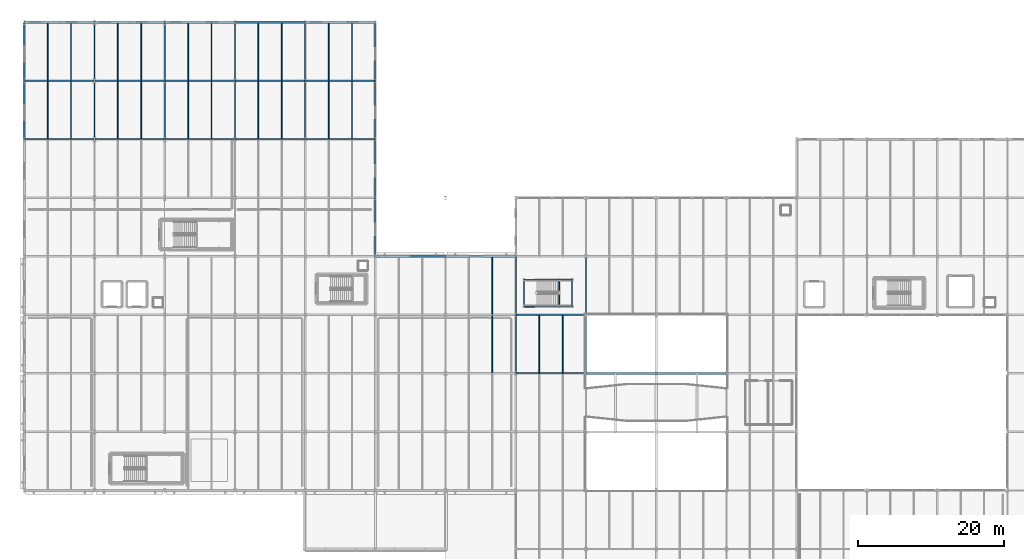
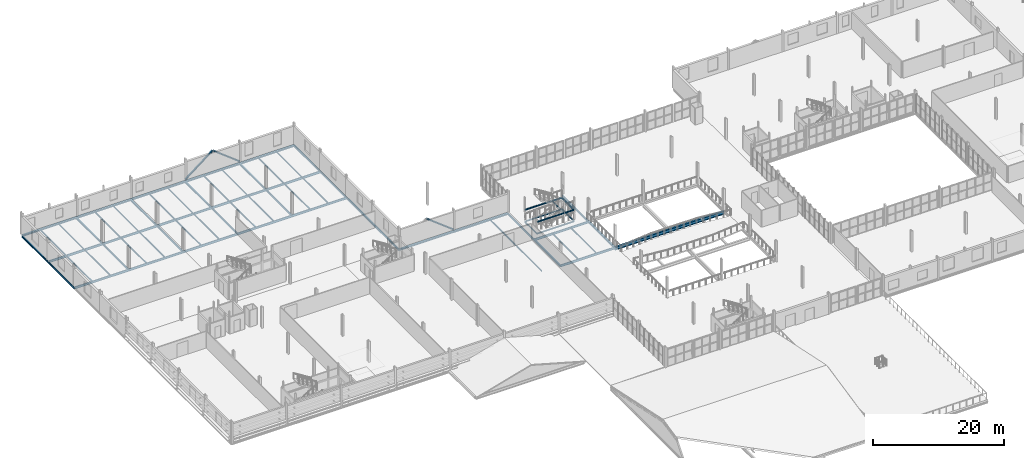
# One storey, part 47 of 85: 70 beams, 3 members.
"""IFC4 building model written with IfcOpenShell, lengths in metres."""

from ifc_helpers import new_model, si_unit, direction, frame, origin, origin_2d, place, context, subcontext, project, spatial, i_section, extrude, material, material_profile, profile_set, type_object, element, save


model = new_model("IFC4")

# Units and contexts
model_context = context("Model", 3, precision=1e-05, world=origin(), true_north=direction((0.0, 1.0)))
body_context = subcontext(model_context, "Body", "Model", "MODEL_VIEW")
ifc_project = project(units=[si_unit("LENGTHUNIT", "METRE"), si_unit("AREAUNIT", "SQUARE_METRE"), si_unit("VOLUMEUNIT", "CUBIC_METRE"), si_unit("PLANEANGLEUNIT", "RADIAN"), si_unit("MASSUNIT", "GRAM", prefix="KILO")], contexts=[model_context])

# Site, building, storey
site_placement = place(None, origin())
site = spatial("IfcSite", under=ifc_project, at=site_placement, CompositionType="ELEMENT")
building_placement = place(site_placement, origin())
building = spatial("IfcBuilding", under=site, at=building_placement, Name="Alderhovde Museum", CompositionType="ELEMENT")
storey_placement = place(building_placement, frame((0.0, 0.0, 8.699951171875)))
storey = spatial("IfcBuildingStorey", under=building, at=storey_placement, Name="L02", CompositionType="ELEMENT", Elevation=8.699951171875)

# Beams
ifc_material_1 = material(Name="Steel S355J2", Category="steel")
ifc_material_profile_1 = material_profile(ifc_material_1, i_section(OverallWidth=0.300048828125, OverallDepth=0.60009765625, WebThickness=0.015380859375, FlangeThickness=0.030029296875, FilletRadius=0.027099609375, at=origin_2d()), Name="HEB 600")
ifc_profile_set_1 = profile_set([ifc_material_profile_1], Name="Steel S355J2")
beam_type_1 = type_object("IfcBeamType", Name="BM-HEB600", PredefinedType="BEAM", material=ifc_profile_set_1)
beam_1_placement = place(storey_placement, frame((86.39990234375, 64.0, -0.56005859375), z_axis=(1.0, 0.0, 0.0), x_axis=(0.0, 1.0, 0.0)))
element("IfcBeam", 1, at=beam_1_placement, inside=storey, type_object=beam_type_1, Name="L02 Grid Beam Y=64.0 (86.4 TO 105.6)", PredefinedType="BEAM", context=body_context, shape_type="SweptSolid", body=[
    extrude(i_section(OverallWidth=0.300048828125, OverallDepth=0.60009765625, WebThickness=0.015380859375, FlangeThickness=0.030029296875, FilletRadius=0.027099609375, at=origin_2d()), origin(), (0.0, 0.0, 1.0), 19.2001953125),
])
ifc_material_2 = material(Name="Steel S355J2", Category="steel")
ifc_material_profile_2 = material_profile(ifc_material_2, i_section(OverallWidth=0.1201171875, OverallDepth=0.239990234375, WebThickness=0.006103515625, FlangeThickness=0.009765625, FilletRadius=0.014892578125, at=origin_2d()), Name="IPE 240")
ifc_profile_set_2 = profile_set([ifc_material_profile_2], Name="Steel S355J2")
beam_type_2 = type_object("IfcBeamType", Name="BM-IPE240", PredefinedType="BEAM", material=ifc_profile_set_2)
for number, where, z_axis, x_axis, name in (
    (2, (77.919921875, 73.1201171875, -0.3798828125), (1.0, 0.0, 0.0), (0.0, 1.0, 0.0), "L02 Stair ST5 Floor Trimmer S"),
    (3, (77.919921875, 76.840087890625, -0.3798828125), (1.0, 0.0, 0.0), (0.0, 1.0, 0.0), "L02 Stair ST5 Floor Trimmer N"),
):
    element("IfcBeam", number, at=place(storey_placement, frame(where, z_axis=z_axis, x_axis=x_axis)), inside=storey, type_object=beam_type_2, Name=name, PredefinedType="BEAM", context=body_context, shape_type="SweptSolid", body=[
        extrude(i_section(OverallWidth=0.1201171875, OverallDepth=0.239990234375, WebThickness=0.006103515625, FlangeThickness=0.009765625, FilletRadius=0.014892578125, at=origin_2d()), origin(), (0.0, 0.0, 1.0), 6.60009765625),
    ])
for number, where, z_axis, x_axis, name in (
    (4, (77.919921875, 73.1201171875, -0.3798828125), (0.0, 1.0, 0.0), (-1.0, 0.0, 0.0), "L02 Stair ST5 Floor Trimmer W"),
    (5, (84.52001953125, 73.1201171875, -0.3798828125), (0.0, 1.0, 0.0), (-1.0, 0.0, 0.0), "L02 Stair ST5 Floor Trimmer E"),
):
    element("IfcBeam", number, at=place(storey_placement, frame(where, z_axis=z_axis, x_axis=x_axis)), inside=storey, type_object=beam_type_2, Name=name, PredefinedType="BEAM", context=body_context, shape_type="SweptSolid", body=[
        extrude(i_section(OverallWidth=0.1201171875, OverallDepth=0.239990234375, WebThickness=0.006103515625, FlangeThickness=0.009765625, FilletRadius=0.014892578125, at=origin_2d()), origin(), (0.0, 0.0, 1.0), 3.719970703125),
    ])
for number, where, z_axis, x_axis, name in (
    (6, (77.919921875, 73.1201171875, 1.780029296875), (1.0, 0.0, 0.0), (0.0, 1.0, 0.0), "L02 Stair ST5 Landing 1 Beam S"),
    (7, (77.919921875, 76.840087890625, 1.780029296875), (1.0, 0.0, 0.0), (0.0, 1.0, 0.0), "L02 Stair ST5 Landing 1 Beam N"),
):
    element("IfcBeam", number, at=place(storey_placement, frame(where, z_axis=z_axis, x_axis=x_axis)), inside=storey, type_object=beam_type_2, Name=name, PredefinedType="BEAM", context=body_context, shape_type="SweptSolid", body=[
        extrude(i_section(OverallWidth=0.1201171875, OverallDepth=0.239990234375, WebThickness=0.006103515625, FlangeThickness=0.009765625, FilletRadius=0.014892578125, at=origin_2d()), origin(), (0.0, 0.0, 1.0), 6.60009765625),
    ])
for number, where, z_axis, x_axis, name in (
    (8, (82.760009765625, 73.1201171875, 1.780029296875), (0.0, 1.0, 0.0), (-1.0, 0.0, 0.0), "L02 Stair ST5 Landing 1 Beam W"),
    (9, (84.43994140625, 73.1201171875, 1.780029296875), (0.0, 1.0, 0.0), (-1.0, 0.0, 0.0), "L02 Stair ST5 Landing 1 Beam E"),
):
    element("IfcBeam", number, at=place(storey_placement, frame(where, z_axis=z_axis, x_axis=x_axis)), inside=storey, type_object=beam_type_2, Name=name, PredefinedType="BEAM", context=body_context, shape_type="SweptSolid", body=[
        extrude(i_section(OverallWidth=0.1201171875, OverallDepth=0.239990234375, WebThickness=0.006103515625, FlangeThickness=0.009765625, FilletRadius=0.014892578125, at=origin_2d()), origin(), (0.0, 0.0, 1.0), 3.719970703125),
    ])
ifc_material_3 = material(Name="Steel S355J2", Category="steel")
ifc_material_profile_3 = material_profile(ifc_material_3, i_section(OverallWidth=0.169921875, OverallDepth=0.360107421875, WebThickness=0.008056640625, FlangeThickness=0.0126953125, FilletRadius=0.01806640625, at=origin_2d()), Name="IPE 360")
ifc_profile_set_3 = profile_set([ifc_material_profile_3], Name="Steel S355J2")
beam_type_3 = type_object("IfcBeamType", Name="BM-IPE360", PredefinedType="BEAM", material=ifc_profile_set_3)
for number, where, z_axis, x_axis, name in (
    (10, (9.60009765625, 96.0, -0.43994140625), (0.0, 1.0, 0.0), (-1.0, 0.0, 0.0), "L02 Grid Beam X=9.6 (96.0 TO 104.0)"),
    (11, (9.60009765625, 104.0, -0.43994140625), (0.0, 1.0, 0.0), (-1.0, 0.0, 0.0), "L02 Grid Beam X=9.6 (104.0 TO 112.0)"),
    (12, (19.199951171875, 96.0, -0.43994140625), (0.0, 1.0, 0.0), (-1.0, 0.0, 0.0), "L02 Grid Beam X=19.2 (96.0 TO 104.0)"),
    (13, (19.199951171875, 104.0, -0.43994140625), (0.0, 1.0, 0.0), (-1.0, 0.0, 0.0), "L02 Grid Beam X=19.2 (104.0 TO 112.0)"),
    (14, (28.800048828125, 96.0, -0.43994140625), (0.0, 1.0, 0.0), (-1.0, 0.0, 0.0), "L02 Grid Beam X=28.8 (96.0 TO 104.0)"),
    (15, (28.800048828125, 104.0, -0.43994140625), (0.0, 1.0, 0.0), (-1.0, 0.0, 0.0), "L02 Grid Beam X=28.8 (104.0 TO 112.0)"),
    (16, (38.39990234375, 96.0, -0.43994140625), (0.0, 1.0, 0.0), (-1.0, 0.0, 0.0), "L02 Grid Beam X=38.4 (96.0 TO 104.0)"),
    (17, (38.39990234375, 104.0, -0.43994140625), (0.0, 1.0, 0.0), (-1.0, 0.0, 0.0), "L02 Grid Beam X=38.4 (104.0 TO 112.0)"),
    (18, (48.0, 96.0, -0.43994140625), (0.0, 1.0, 0.0), (-1.0, 0.0, 0.0), "L02 Grid Beam X=48.0 (96.0 TO 104.0)"),
    (19, (48.0, 104.0, -0.43994140625), (0.0, 1.0, 0.0), (-1.0, 0.0, 0.0), "L02 Grid Beam X=48.0 (104.0 TO 112.0)"),
    (20, (57.60009765625, 80.0, -0.43994140625), (0.0, 1.0, 0.0), (-1.0, 0.0, 0.0), "L02 Grid Beam X=57.6 (80.0 TO 88.0)"),
    (21, (57.60009765625, 88.0, -0.43994140625), (0.0, 1.0, 0.0), (-1.0, 0.0, 0.0), "L02 Grid Beam X=57.6 (88.0 TO 96.0)"),
    (22, (57.60009765625, 96.0, -0.43994140625), (0.0, 1.0, 0.0), (-1.0, 0.0, 0.0), "L02 Grid Beam X=57.6 (96.0 TO 104.0)"),
    (23, (57.60009765625, 104.0, -0.43994140625), (0.0, 1.0, 0.0), (-1.0, 0.0, 0.0), "L02 Grid Beam X=57.6 (104.0 TO 112.0)"),
    (24, (76.800048828125, 64.0, -0.43994140625), (0.0, 1.0, 0.0), (-1.0, 0.0, 0.0), "L02 Grid Beam X=76.8 (64.0 TO 72.0)"),
    (25, (76.800048828125, 72.0, -0.43994140625), (0.0, 1.0, 0.0), (-1.0, 0.0, 0.0), "L02 Grid Beam X=76.8 (72.0 TO 80.0)"),
    (26, (86.39990234375, 64.0, -0.43994140625), (0.0, 1.0, 0.0), (-1.0, 0.0, 0.0), "L02 Grid Beam X=86.4 (64.0 TO 72.0)"),
    (27, (86.39990234375, 72.0, -0.43994140625), (0.0, 1.0, 0.0), (-1.0, 0.0, 0.0), "L02 Grid Beam X=86.4 (72.0 TO 80.0)"),
):
    element("IfcBeam", number, at=place(storey_placement, frame(where, z_axis=z_axis, x_axis=x_axis)), inside=storey, type_object=beam_type_3, Name=name, PredefinedType="BEAM", context=body_context, shape_type="SweptSolid", body=[
        extrude(i_section(OverallWidth=0.169921875, OverallDepth=0.360107421875, WebThickness=0.008056640625, FlangeThickness=0.0126953125, FilletRadius=0.01806640625, at=origin_2d()), origin(), (0.0, 0.0, 1.0), 8.0),
    ])
ifc_material_4 = material(Name="Steel S355J2", Category="steel")
ifc_material_profile_4 = material_profile(ifc_material_4, i_section(OverallWidth=0.179931640625, OverallDepth=0.39990234375, WebThickness=0.008544921875, FlangeThickness=0.013427734375, FilletRadius=0.02099609375, at=origin_2d()), Name="IPE 400")
ifc_profile_set_4 = profile_set([ifc_material_profile_4], Name="Steel S355J2")
beam_type_4 = type_object("IfcBeamType", Name="BM-IPE400", PredefinedType="BEAM", material=ifc_profile_set_4)
for number, where, z_axis, x_axis, name in (
    (28, (76.800048828125, 64.0, -0.4599609375), (1.0, 0.0, 0.0), (0.0, 1.0, 0.0), "L02 Grid Beam Y=64.0 (76.8 TO 86.4)"),
    (29, (76.800048828125, 72.0, -0.4599609375), (1.0, 0.0, 0.0), (0.0, 1.0, 0.0), "L02 Grid Beam Y=72.0 (76.8 TO 86.4)"),
    (30, (9.60009765625, 96.0, -0.4599609375), (1.0, 0.0, 0.0), (0.0, 1.0, 0.0), "L02 Grid Beam Y=96.0 (9.6 TO 19.2)"),
):
    element("IfcBeam", number, at=place(storey_placement, frame(where, z_axis=z_axis, x_axis=x_axis)), inside=storey, type_object=beam_type_4, Name=name, PredefinedType="BEAM", context=body_context, shape_type="SweptSolid", body=[
        extrude(i_section(OverallWidth=0.179931640625, OverallDepth=0.39990234375, WebThickness=0.008544921875, FlangeThickness=0.013427734375, FilletRadius=0.02099609375, at=origin_2d()), origin(), (0.0, 0.0, 1.0), 9.599853515625),
    ])
beam_2_placement = place(storey_placement, frame((19.199951171875, 96.0, -0.4599609375), z_axis=(1.0, 0.0, 0.0), x_axis=(0.0, 1.0, 0.0)))
element("IfcBeam", 31, at=beam_2_placement, inside=storey, type_object=beam_type_4, Name="L02 Grid Beam Y=96.0 (19.2 TO 28.8)", PredefinedType="BEAM", context=body_context, shape_type="SweptSolid", body=[
    extrude(i_section(OverallWidth=0.179931640625, OverallDepth=0.39990234375, WebThickness=0.008544921875, FlangeThickness=0.013427734375, FilletRadius=0.02099609375, at=origin_2d()), origin(), (0.0, 0.0, 1.0), 9.60009765625),
])
beam_3_placement = place(storey_placement, frame((28.800048828125, 96.0, -0.4599609375), z_axis=(1.0, 0.0, 0.0), x_axis=(0.0, 1.0, 0.0)))
element("IfcBeam", 32, at=beam_3_placement, inside=storey, type_object=beam_type_4, Name="L02 Grid Beam Y=96.0 (28.8 TO 38.4)", PredefinedType="BEAM", context=body_context, shape_type="SweptSolid", body=[
    extrude(i_section(OverallWidth=0.179931640625, OverallDepth=0.39990234375, WebThickness=0.008544921875, FlangeThickness=0.013427734375, FilletRadius=0.02099609375, at=origin_2d()), origin(), (0.0, 0.0, 1.0), 9.599853515625),
])
for number, where, z_axis, x_axis, name in (
    (33, (38.39990234375, 96.0, -0.4599609375), (1.0, 0.0, 0.0), (0.0, 1.0, 0.0), "L02 Grid Beam Y=96.0 (38.4 TO 48.0)"),
    (34, (48.0, 96.0, -0.4599609375), (1.0, 0.0, 0.0), (0.0, 1.0, 0.0), "L02 Grid Beam Y=96.0 (48.0 TO 57.6)"),
):
    element("IfcBeam", number, at=place(storey_placement, frame(where, z_axis=z_axis, x_axis=x_axis)), inside=storey, type_object=beam_type_4, Name=name, PredefinedType="BEAM", context=body_context, shape_type="SweptSolid", body=[
        extrude(i_section(OverallWidth=0.179931640625, OverallDepth=0.39990234375, WebThickness=0.008544921875, FlangeThickness=0.013427734375, FilletRadius=0.02099609375, at=origin_2d()), origin(), (0.0, 0.0, 1.0), 9.60009765625),
    ])
beam_4_placement = place(storey_placement, frame((9.60009765625, 104.0, -0.4599609375), z_axis=(1.0, 0.0, 0.0), x_axis=(0.0, 1.0, 0.0)))
element("IfcBeam", 35, at=beam_4_placement, inside=storey, type_object=beam_type_4, Name="L02 Grid Beam Y=104.0 (9.6 TO 19.2)", PredefinedType="BEAM", context=body_context, shape_type="SweptSolid", body=[
    extrude(i_section(OverallWidth=0.179931640625, OverallDepth=0.39990234375, WebThickness=0.008544921875, FlangeThickness=0.013427734375, FilletRadius=0.02099609375, at=origin_2d()), origin(), (0.0, 0.0, 1.0), 9.599853515625),
])
beam_5_placement = place(storey_placement, frame((19.199951171875, 104.0, -0.4599609375), z_axis=(1.0, 0.0, 0.0), x_axis=(0.0, 1.0, 0.0)))
element("IfcBeam", 36, at=beam_5_placement, inside=storey, type_object=beam_type_4, Name="L02 Grid Beam Y=104.0 (19.2 TO 28.8)", PredefinedType="BEAM", context=body_context, shape_type="SweptSolid", body=[
    extrude(i_section(OverallWidth=0.179931640625, OverallDepth=0.39990234375, WebThickness=0.008544921875, FlangeThickness=0.013427734375, FilletRadius=0.02099609375, at=origin_2d()), origin(), (0.0, 0.0, 1.0), 9.60009765625),
])
beam_6_placement = place(storey_placement, frame((28.800048828125, 104.0, -0.4599609375), z_axis=(1.0, 0.0, 0.0), x_axis=(0.0, 1.0, 0.0)))
element("IfcBeam", 37, at=beam_6_placement, inside=storey, type_object=beam_type_4, Name="L02 Grid Beam Y=104.0 (28.8 TO 38.4)", PredefinedType="BEAM", context=body_context, shape_type="SweptSolid", body=[
    extrude(i_section(OverallWidth=0.179931640625, OverallDepth=0.39990234375, WebThickness=0.008544921875, FlangeThickness=0.013427734375, FilletRadius=0.02099609375, at=origin_2d()), origin(), (0.0, 0.0, 1.0), 9.599853515625),
])
for number, where, z_axis, x_axis, name in (
    (38, (38.39990234375, 104.0, -0.4599609375), (1.0, 0.0, 0.0), (0.0, 1.0, 0.0), "L02 Grid Beam Y=104.0 (38.4 TO 48.0)"),
    (39, (48.0, 104.0, -0.4599609375), (1.0, 0.0, 0.0), (0.0, 1.0, 0.0), "L02 Grid Beam Y=104.0 (48.0 TO 57.6)"),
):
    element("IfcBeam", number, at=place(storey_placement, frame(where, z_axis=z_axis, x_axis=x_axis)), inside=storey, type_object=beam_type_4, Name=name, PredefinedType="BEAM", context=body_context, shape_type="SweptSolid", body=[
        extrude(i_section(OverallWidth=0.179931640625, OverallDepth=0.39990234375, WebThickness=0.008544921875, FlangeThickness=0.013427734375, FilletRadius=0.02099609375, at=origin_2d()), origin(), (0.0, 0.0, 1.0), 9.60009765625),
    ])

# Members
ifc_material_5 = material(Name="Steel S355J2", Category="steel")
ifc_material_profile_5 = material_profile(ifc_material_5, i_section(OverallWidth=0.239990234375, OverallDepth=0.22998046875, WebThickness=0.007568359375, FlangeThickness=0.011962890625, FilletRadius=0.02099609375, at=origin_2d()), Name="HEA 240")
ifc_profile_set_5 = profile_set([ifc_material_profile_5], Name="Steel S355J2")
member_type = type_object("IfcMemberType", Name="BR-HEA240", PredefinedType="BRACE", material=ifc_profile_set_5)
for number, where, z_axis, x_axis, name in (
    (40, (67.199951171875, 80.0, 0.0), (-0.790420405146, 0.0, 0.612564758314), (0.0, -1.0, 0.0), "L02 Chevron Brace BR-V1-N-R"),
    (41, (38.39990234375, 112.0, 0.0), (0.790420405146, 0.0, 0.612564758314), (0.0, 1.0, 0.0), "L02 Chevron Brace BR-V4-N-L"),
    (42, (48.0, 112.0, 0.0), (-0.790420405146, 0.0, 0.612564758314), (0.0, -1.0, 0.0), "L02 Chevron Brace BR-V4-N-R"),
):
    element("IfcMember", number, at=place(storey_placement, frame(where, z_axis=z_axis, x_axis=x_axis)), inside=storey, type_object=member_type, Name=name, PredefinedType="BRACE", context=body_context, shape_type="SweptSolid", body=[
        extrude(i_section(OverallWidth=0.239990234375, OverallDepth=0.22998046875, WebThickness=0.007568359375, FlangeThickness=0.011962890625, FilletRadius=0.02099609375, at=origin_2d()), origin(), (0.0, 0.0, 1.0), 6.07275390625),
    ])

# Beams
ifc_material_6 = material(Name="Steel S355J2", Category="steel")
ifc_material_profile_6 = material_profile(ifc_material_6, i_section(OverallWidth=0.1201171875, OverallDepth=0.239990234375, WebThickness=0.006103515625, FlangeThickness=0.009765625, FilletRadius=0.014892578125, at=origin_2d()), Name="IPE 240")
ifc_profile_set_6 = profile_set([ifc_material_profile_6], Name="Steel S355J2")
beam_type_5 = type_object("IfcBeamType", Name="JST-IPE240", PredefinedType="JOIST", material=ifc_profile_set_6)
beam_7_placement = place(storey_placement, frame((16.0, 96.090087890625, -0.3798828125), z_axis=(0.0, 1.0, 0.0), x_axis=(-1.0, 0.0, 0.0)))
element("IfcBeam", 43, at=beam_7_placement, inside=storey, type_object=beam_type_5, Name="L02 Composite Joist X=16.0 (96.0 TO 104.0)", PredefinedType="JOIST", context=body_context, shape_type="SweptSolid", body=[
    extrude(i_section(OverallWidth=0.1201171875, OverallDepth=0.239990234375, WebThickness=0.006103515625, FlangeThickness=0.009765625, FilletRadius=0.014892578125, at=origin_2d()), origin(), (0.0, 0.0, 1.0), 7.81982421875),
])
beam_8_placement = place(storey_placement, frame((16.0, 104.090087890625, -0.3798828125), z_axis=(0.0, 1.0, 0.0), x_axis=(-1.0, 0.0, 0.0)))
element("IfcBeam", 44, at=beam_8_placement, inside=storey, type_object=beam_type_5, Name="L02 Composite Joist X=16.0 (104.0 TO 112.0)", PredefinedType="JOIST", context=body_context, shape_type="SweptSolid", body=[
    extrude(i_section(OverallWidth=0.1201171875, OverallDepth=0.239990234375, WebThickness=0.006103515625, FlangeThickness=0.009765625, FilletRadius=0.014892578125, at=origin_2d()), origin(), (0.0, 0.0, 1.0), 7.760009765625),
])
beam_9_placement = place(storey_placement, frame((25.60009765625, 96.090087890625, -0.3798828125), z_axis=(0.0, 1.0, 0.0), x_axis=(-1.0, 0.0, 0.0)))
element("IfcBeam", 45, at=beam_9_placement, inside=storey, type_object=beam_type_5, Name="L02 Composite Joist X=25.6 (96.0 TO 104.0)", PredefinedType="JOIST", context=body_context, shape_type="SweptSolid", body=[
    extrude(i_section(OverallWidth=0.1201171875, OverallDepth=0.239990234375, WebThickness=0.006103515625, FlangeThickness=0.009765625, FilletRadius=0.014892578125, at=origin_2d()), origin(), (0.0, 0.0, 1.0), 7.81982421875),
])
beam_10_placement = place(storey_placement, frame((25.60009765625, 104.090087890625, -0.3798828125), z_axis=(0.0, 1.0, 0.0), x_axis=(-1.0, 0.0, 0.0)))
element("IfcBeam", 46, at=beam_10_placement, inside=storey, type_object=beam_type_5, Name="L02 Composite Joist X=25.6 (104.0 TO 112.0)", PredefinedType="JOIST", context=body_context, shape_type="SweptSolid", body=[
    extrude(i_section(OverallWidth=0.1201171875, OverallDepth=0.239990234375, WebThickness=0.006103515625, FlangeThickness=0.009765625, FilletRadius=0.014892578125, at=origin_2d()), origin(), (0.0, 0.0, 1.0), 7.760009765625),
])
beam_11_placement = place(storey_placement, frame((35.199951171875, 96.090087890625, -0.3798828125), z_axis=(0.0, 1.0, 0.0), x_axis=(-1.0, 0.0, 0.0)))
element("IfcBeam", 47, at=beam_11_placement, inside=storey, type_object=beam_type_5, Name="L02 Composite Joist X=35.2 (96.0 TO 104.0)", PredefinedType="JOIST", context=body_context, shape_type="SweptSolid", body=[
    extrude(i_section(OverallWidth=0.1201171875, OverallDepth=0.239990234375, WebThickness=0.006103515625, FlangeThickness=0.009765625, FilletRadius=0.014892578125, at=origin_2d()), origin(), (0.0, 0.0, 1.0), 7.81982421875),
])
beam_12_placement = place(storey_placement, frame((35.199951171875, 104.090087890625, -0.3798828125), z_axis=(0.0, 1.0, 0.0), x_axis=(-1.0, 0.0, 0.0)))
element("IfcBeam", 48, at=beam_12_placement, inside=storey, type_object=beam_type_5, Name="L02 Composite Joist X=35.2 (104.0 TO 112.0)", PredefinedType="JOIST", context=body_context, shape_type="SweptSolid", body=[
    extrude(i_section(OverallWidth=0.1201171875, OverallDepth=0.239990234375, WebThickness=0.006103515625, FlangeThickness=0.009765625, FilletRadius=0.014892578125, at=origin_2d()), origin(), (0.0, 0.0, 1.0), 7.760009765625),
])
beam_13_placement = place(storey_placement, frame((44.800048828125, 96.090087890625, -0.3798828125), z_axis=(0.0, 1.0, 0.0), x_axis=(-1.0, 0.0, 0.0)))
element("IfcBeam", 49, at=beam_13_placement, inside=storey, type_object=beam_type_5, Name="L02 Composite Joist X=44.8 (96.0 TO 104.0)", PredefinedType="JOIST", context=body_context, shape_type="SweptSolid", body=[
    extrude(i_section(OverallWidth=0.1201171875, OverallDepth=0.239990234375, WebThickness=0.006103515625, FlangeThickness=0.009765625, FilletRadius=0.014892578125, at=origin_2d()), origin(), (0.0, 0.0, 1.0), 7.81982421875),
])
beam_14_placement = place(storey_placement, frame((44.800048828125, 104.090087890625, -0.3798828125), z_axis=(0.0, 1.0, 0.0), x_axis=(-1.0, 0.0, 0.0)))
element("IfcBeam", 50, at=beam_14_placement, inside=storey, type_object=beam_type_5, Name="L02 Composite Joist X=44.8 (104.0 TO 112.0)", PredefinedType="JOIST", context=body_context, shape_type="SweptSolid", body=[
    extrude(i_section(OverallWidth=0.1201171875, OverallDepth=0.239990234375, WebThickness=0.006103515625, FlangeThickness=0.009765625, FilletRadius=0.014892578125, at=origin_2d()), origin(), (0.0, 0.0, 1.0), 7.760009765625),
])
beam_15_placement = place(storey_placement, frame((54.39990234375, 96.090087890625, -0.3798828125), z_axis=(0.0, 1.0, 0.0), x_axis=(-1.0, 0.0, 0.0)))
element("IfcBeam", 51, at=beam_15_placement, inside=storey, type_object=beam_type_5, Name="L02 Composite Joist X=54.4 (96.0 TO 104.0)", PredefinedType="JOIST", context=body_context, shape_type="SweptSolid", body=[
    extrude(i_section(OverallWidth=0.1201171875, OverallDepth=0.239990234375, WebThickness=0.006103515625, FlangeThickness=0.009765625, FilletRadius=0.014892578125, at=origin_2d()), origin(), (0.0, 0.0, 1.0), 7.81982421875),
])
beam_16_placement = place(storey_placement, frame((54.39990234375, 104.090087890625, -0.3798828125), z_axis=(0.0, 1.0, 0.0), x_axis=(-1.0, 0.0, 0.0)))
element("IfcBeam", 52, at=beam_16_placement, inside=storey, type_object=beam_type_5, Name="L02 Composite Joist X=54.4 (104.0 TO 112.0)", PredefinedType="JOIST", context=body_context, shape_type="SweptSolid", body=[
    extrude(i_section(OverallWidth=0.1201171875, OverallDepth=0.239990234375, WebThickness=0.006103515625, FlangeThickness=0.009765625, FilletRadius=0.014892578125, at=origin_2d()), origin(), (0.0, 0.0, 1.0), 7.760009765625),
])
beam_17_placement = place(storey_placement, frame((73.60009765625, 64.090087890625, -0.3798828125), z_axis=(0.0, 1.0, 0.0), x_axis=(-1.0, 0.0, 0.0)))
element("IfcBeam", 53, at=beam_17_placement, inside=storey, type_object=beam_type_5, Name="L02 Composite Joist X=73.6 (64.0 TO 72.0)", PredefinedType="JOIST", context=body_context, shape_type="SweptSolid", body=[
    extrude(i_section(OverallWidth=0.1201171875, OverallDepth=0.239990234375, WebThickness=0.006103515625, FlangeThickness=0.009765625, FilletRadius=0.014892578125, at=origin_2d()), origin(), (0.0, 0.0, 1.0), 7.81982421875),
])
beam_18_placement = place(storey_placement, frame((73.60009765625, 72.090087890625, -0.3798828125), z_axis=(0.0, 1.0, 0.0), x_axis=(-1.0, 0.0, 0.0)))
element("IfcBeam", 54, at=beam_18_placement, inside=storey, type_object=beam_type_5, Name="L02 Composite Joist X=73.6 (72.0 TO 80.0)", PredefinedType="JOIST", context=body_context, shape_type="SweptSolid", body=[
    extrude(i_section(OverallWidth=0.1201171875, OverallDepth=0.239990234375, WebThickness=0.006103515625, FlangeThickness=0.009765625, FilletRadius=0.014892578125, at=origin_2d()), origin(), (0.0, 0.0, 1.0), 7.760009765625),
])
beam_19_placement = place(storey_placement, frame((83.199951171875, 64.090087890625, -0.3798828125), z_axis=(0.0, 1.0, 0.0), x_axis=(-1.0, 0.0, 0.0)))
element("IfcBeam", 55, at=beam_19_placement, inside=storey, type_object=beam_type_5, Name="L02 Composite Joist X=83.2 (64.0 TO 72.0)", PredefinedType="JOIST", context=body_context, shape_type="SweptSolid", body=[
    extrude(i_section(OverallWidth=0.1201171875, OverallDepth=0.239990234375, WebThickness=0.006103515625, FlangeThickness=0.009765625, FilletRadius=0.014892578125, at=origin_2d()), origin(), (0.0, 0.0, 1.0), 7.81982421875),
])
ifc_material_7 = material(Name="Steel S355J2", Category="steel")
ifc_material_profile_7 = material_profile(ifc_material_7, i_section(OverallWidth=0.135009765625, OverallDepth=0.27001953125, WebThickness=0.006591796875, FlangeThickness=0.01025390625, FilletRadius=0.014892578125, at=origin_2d()), Name="IPE 270")
ifc_profile_set_7 = profile_set([ifc_material_profile_7], Name="Steel S355J2")
beam_type_6 = type_object("IfcBeamType", Name="JST-IPE270", PredefinedType="JOIST", material=ifc_profile_set_7)
beam_20_placement = place(storey_placement, frame((12.800048828125, 96.090087890625, -0.39501953125), z_axis=(0.0, 1.0, 0.0), x_axis=(-1.0, 0.0, 0.0)))
element("IfcBeam", 56, at=beam_20_placement, inside=storey, type_object=beam_type_6, Name="L02 Composite Joist X=12.8 (96.0 TO 104.0)", PredefinedType="JOIST", context=body_context, shape_type="SweptSolid", body=[
    extrude(i_section(OverallWidth=0.135009765625, OverallDepth=0.27001953125, WebThickness=0.006591796875, FlangeThickness=0.01025390625, FilletRadius=0.014892578125, at=origin_2d()), origin(), (0.0, 0.0, 1.0), 7.81982421875),
])
beam_21_placement = place(storey_placement, frame((12.800048828125, 104.090087890625, -0.39501953125), z_axis=(0.0, 1.0, 0.0), x_axis=(-1.0, 0.0, 0.0)))
element("IfcBeam", 57, at=beam_21_placement, inside=storey, type_object=beam_type_6, Name="L02 Composite Joist X=12.8 (104.0 TO 112.0)", PredefinedType="JOIST", context=body_context, shape_type="SweptSolid", body=[
    extrude(i_section(OverallWidth=0.135009765625, OverallDepth=0.27001953125, WebThickness=0.006591796875, FlangeThickness=0.01025390625, FilletRadius=0.014892578125, at=origin_2d()), origin(), (0.0, 0.0, 1.0), 7.760009765625),
])
beam_22_placement = place(storey_placement, frame((22.39990234375, 96.090087890625, -0.39501953125), z_axis=(0.0, 1.0, 0.0), x_axis=(-1.0, 0.0, 0.0)))
element("IfcBeam", 58, at=beam_22_placement, inside=storey, type_object=beam_type_6, Name="L02 Composite Joist X=22.4 (96.0 TO 104.0)", PredefinedType="JOIST", context=body_context, shape_type="SweptSolid", body=[
    extrude(i_section(OverallWidth=0.135009765625, OverallDepth=0.27001953125, WebThickness=0.006591796875, FlangeThickness=0.01025390625, FilletRadius=0.014892578125, at=origin_2d()), origin(), (0.0, 0.0, 1.0), 7.81982421875),
])
beam_23_placement = place(storey_placement, frame((22.39990234375, 104.090087890625, -0.39501953125), z_axis=(0.0, 1.0, 0.0), x_axis=(-1.0, 0.0, 0.0)))
element("IfcBeam", 59, at=beam_23_placement, inside=storey, type_object=beam_type_6, Name="L02 Composite Joist X=22.4 (104.0 TO 112.0)", PredefinedType="JOIST", context=body_context, shape_type="SweptSolid", body=[
    extrude(i_section(OverallWidth=0.135009765625, OverallDepth=0.27001953125, WebThickness=0.006591796875, FlangeThickness=0.01025390625, FilletRadius=0.014892578125, at=origin_2d()), origin(), (0.0, 0.0, 1.0), 7.760009765625),
])
beam_24_placement = place(storey_placement, frame((32.0, 96.090087890625, -0.39501953125), z_axis=(0.0, 1.0, 0.0), x_axis=(-1.0, 0.0, 0.0)))
element("IfcBeam", 60, at=beam_24_placement, inside=storey, type_object=beam_type_6, Name="L02 Composite Joist X=32.0 (96.0 TO 104.0)", PredefinedType="JOIST", context=body_context, shape_type="SweptSolid", body=[
    extrude(i_section(OverallWidth=0.135009765625, OverallDepth=0.27001953125, WebThickness=0.006591796875, FlangeThickness=0.01025390625, FilletRadius=0.014892578125, at=origin_2d()), origin(), (0.0, 0.0, 1.0), 7.81982421875),
])
beam_25_placement = place(storey_placement, frame((32.0, 104.090087890625, -0.39501953125), z_axis=(0.0, 1.0, 0.0), x_axis=(-1.0, 0.0, 0.0)))
element("IfcBeam", 61, at=beam_25_placement, inside=storey, type_object=beam_type_6, Name="L02 Composite Joist X=32.0 (104.0 TO 112.0)", PredefinedType="JOIST", context=body_context, shape_type="SweptSolid", body=[
    extrude(i_section(OverallWidth=0.135009765625, OverallDepth=0.27001953125, WebThickness=0.006591796875, FlangeThickness=0.01025390625, FilletRadius=0.014892578125, at=origin_2d()), origin(), (0.0, 0.0, 1.0), 7.760009765625),
])
beam_26_placement = place(storey_placement, frame((41.60009765625, 96.090087890625, -0.39501953125), z_axis=(0.0, 1.0, 0.0), x_axis=(-1.0, 0.0, 0.0)))
element("IfcBeam", 62, at=beam_26_placement, inside=storey, type_object=beam_type_6, Name="L02 Composite Joist X=41.6 (96.0 TO 104.0)", PredefinedType="JOIST", context=body_context, shape_type="SweptSolid", body=[
    extrude(i_section(OverallWidth=0.135009765625, OverallDepth=0.27001953125, WebThickness=0.006591796875, FlangeThickness=0.01025390625, FilletRadius=0.014892578125, at=origin_2d()), origin(), (0.0, 0.0, 1.0), 7.81982421875),
])
beam_27_placement = place(storey_placement, frame((41.60009765625, 104.090087890625, -0.39501953125), z_axis=(0.0, 1.0, 0.0), x_axis=(-1.0, 0.0, 0.0)))
element("IfcBeam", 63, at=beam_27_placement, inside=storey, type_object=beam_type_6, Name="L02 Composite Joist X=41.6 (104.0 TO 112.0)", PredefinedType="JOIST", context=body_context, shape_type="SweptSolid", body=[
    extrude(i_section(OverallWidth=0.135009765625, OverallDepth=0.27001953125, WebThickness=0.006591796875, FlangeThickness=0.01025390625, FilletRadius=0.014892578125, at=origin_2d()), origin(), (0.0, 0.0, 1.0), 7.760009765625),
])
beam_28_placement = place(storey_placement, frame((51.199951171875, 96.090087890625, -0.39501953125), z_axis=(0.0, 1.0, 0.0), x_axis=(-1.0, 0.0, 0.0)))
element("IfcBeam", 64, at=beam_28_placement, inside=storey, type_object=beam_type_6, Name="L02 Composite Joist X=51.2 (96.0 TO 104.0)", PredefinedType="JOIST", context=body_context, shape_type="SweptSolid", body=[
    extrude(i_section(OverallWidth=0.135009765625, OverallDepth=0.27001953125, WebThickness=0.006591796875, FlangeThickness=0.01025390625, FilletRadius=0.014892578125, at=origin_2d()), origin(), (0.0, 0.0, 1.0), 7.81982421875),
])
beam_29_placement = place(storey_placement, frame((51.199951171875, 104.090087890625, -0.39501953125), z_axis=(0.0, 1.0, 0.0), x_axis=(-1.0, 0.0, 0.0)))
element("IfcBeam", 65, at=beam_29_placement, inside=storey, type_object=beam_type_6, Name="L02 Composite Joist X=51.2 (104.0 TO 112.0)", PredefinedType="JOIST", context=body_context, shape_type="SweptSolid", body=[
    extrude(i_section(OverallWidth=0.135009765625, OverallDepth=0.27001953125, WebThickness=0.006591796875, FlangeThickness=0.01025390625, FilletRadius=0.014892578125, at=origin_2d()), origin(), (0.0, 0.0, 1.0), 7.760009765625),
])
beam_30_placement = place(storey_placement, frame((80.0, 64.090087890625, -0.39501953125), z_axis=(0.0, 1.0, 0.0), x_axis=(-1.0, 0.0, 0.0)))
element("IfcBeam", 66, at=beam_30_placement, inside=storey, type_object=beam_type_6, Name="L02 Composite Joist X=80.0 (64.0 TO 72.0)", PredefinedType="JOIST", context=body_context, shape_type="SweptSolid", body=[
    extrude(i_section(OverallWidth=0.135009765625, OverallDepth=0.27001953125, WebThickness=0.006591796875, FlangeThickness=0.01025390625, FilletRadius=0.014892578125, at=origin_2d()), origin(), (0.0, 0.0, 1.0), 7.81982421875),
])
ifc_material_8 = material(Name="Steel S355J2", Category="steel")
ifc_material_profile_8 = material_profile(ifc_material_8, i_section(OverallWidth=0.300048828125, OverallDepth=0.2900390625, WebThickness=0.008544921875, FlangeThickness=0.013916015625, FilletRadius=0.027099609375, at=origin_2d()), Name="HEA 300")
ifc_profile_set_8 = profile_set([ifc_material_profile_8], Name="Steel S355J2")
beam_type_7 = type_object("IfcBeamType", Name="SPD-HEA300", PredefinedType="SPANDREL", material=ifc_profile_set_8)
beam_31_placement = place(storey_placement, frame((57.60009765625, 80.0, -0.405029296875), z_axis=(1.0, 0.0, 0.0), x_axis=(0.0, 1.0, 0.0)))
element("IfcBeam", 67, at=beam_31_placement, inside=storey, type_object=beam_type_7, Name="L02 Grid Beam Y=80.0 (57.6 TO 67.2)", PredefinedType="SPANDREL", context=body_context, shape_type="SweptSolid", body=[
    extrude(i_section(OverallWidth=0.300048828125, OverallDepth=0.2900390625, WebThickness=0.008544921875, FlangeThickness=0.013916015625, FilletRadius=0.027099609375, at=origin_2d()), origin(), (0.0, 0.0, 1.0), 9.599853515625),
])
beam_32_placement = place(storey_placement, frame((67.199951171875, 80.0, -0.405029296875), z_axis=(1.0, 0.0, 0.0), x_axis=(0.0, 1.0, 0.0)))
element("IfcBeam", 68, at=beam_32_placement, inside=storey, type_object=beam_type_7, Name="L02 Grid Beam Y=80.0 (67.2 TO 76.8)", PredefinedType="SPANDREL", context=body_context, shape_type="SweptSolid", body=[
    extrude(i_section(OverallWidth=0.300048828125, OverallDepth=0.2900390625, WebThickness=0.008544921875, FlangeThickness=0.013916015625, FilletRadius=0.027099609375, at=origin_2d()), origin(), (0.0, 0.0, 1.0), 9.60009765625),
])
beam_33_placement = place(storey_placement, frame((9.60009765625, 112.0, -0.405029296875), z_axis=(1.0, 0.0, 0.0), x_axis=(0.0, 1.0, 0.0)))
element("IfcBeam", 69, at=beam_33_placement, inside=storey, type_object=beam_type_7, Name="L02 Grid Beam Y=112.0 (9.6 TO 19.2)", PredefinedType="SPANDREL", context=body_context, shape_type="SweptSolid", body=[
    extrude(i_section(OverallWidth=0.300048828125, OverallDepth=0.2900390625, WebThickness=0.008544921875, FlangeThickness=0.013916015625, FilletRadius=0.027099609375, at=origin_2d()), origin(), (0.0, 0.0, 1.0), 9.599853515625),
])
beam_34_placement = place(storey_placement, frame((19.199951171875, 112.0, -0.405029296875), z_axis=(1.0, 0.0, 0.0), x_axis=(0.0, 1.0, 0.0)))
element("IfcBeam", 70, at=beam_34_placement, inside=storey, type_object=beam_type_7, Name="L02 Grid Beam Y=112.0 (19.2 TO 28.8)", PredefinedType="SPANDREL", context=body_context, shape_type="SweptSolid", body=[
    extrude(i_section(OverallWidth=0.300048828125, OverallDepth=0.2900390625, WebThickness=0.008544921875, FlangeThickness=0.013916015625, FilletRadius=0.027099609375, at=origin_2d()), origin(), (0.0, 0.0, 1.0), 9.60009765625),
])
beam_35_placement = place(storey_placement, frame((28.800048828125, 112.0, -0.405029296875), z_axis=(1.0, 0.0, 0.0), x_axis=(0.0, 1.0, 0.0)))
element("IfcBeam", 71, at=beam_35_placement, inside=storey, type_object=beam_type_7, Name="L02 Grid Beam Y=112.0 (28.8 TO 38.4)", PredefinedType="SPANDREL", context=body_context, shape_type="SweptSolid", body=[
    extrude(i_section(OverallWidth=0.300048828125, OverallDepth=0.2900390625, WebThickness=0.008544921875, FlangeThickness=0.013916015625, FilletRadius=0.027099609375, at=origin_2d()), origin(), (0.0, 0.0, 1.0), 9.599853515625),
])
for number, where, z_axis, x_axis, name in (
    (72, (38.39990234375, 112.0, -0.405029296875), (1.0, 0.0, 0.0), (0.0, 1.0, 0.0), "L02 Grid Beam Y=112.0 (38.4 TO 48.0)"),
    (73, (48.0, 112.0, -0.405029296875), (1.0, 0.0, 0.0), (0.0, 1.0, 0.0), "L02 Grid Beam Y=112.0 (48.0 TO 57.6)"),
):
    element("IfcBeam", number, at=place(storey_placement, frame(where, z_axis=z_axis, x_axis=x_axis)), inside=storey, type_object=beam_type_7, Name=name, PredefinedType="SPANDREL", context=body_context, shape_type="SweptSolid", body=[
        extrude(i_section(OverallWidth=0.300048828125, OverallDepth=0.2900390625, WebThickness=0.008544921875, FlangeThickness=0.013916015625, FilletRadius=0.027099609375, at=origin_2d()), origin(), (0.0, 0.0, 1.0), 9.60009765625),
    ])

save(model, "model.ifc")
